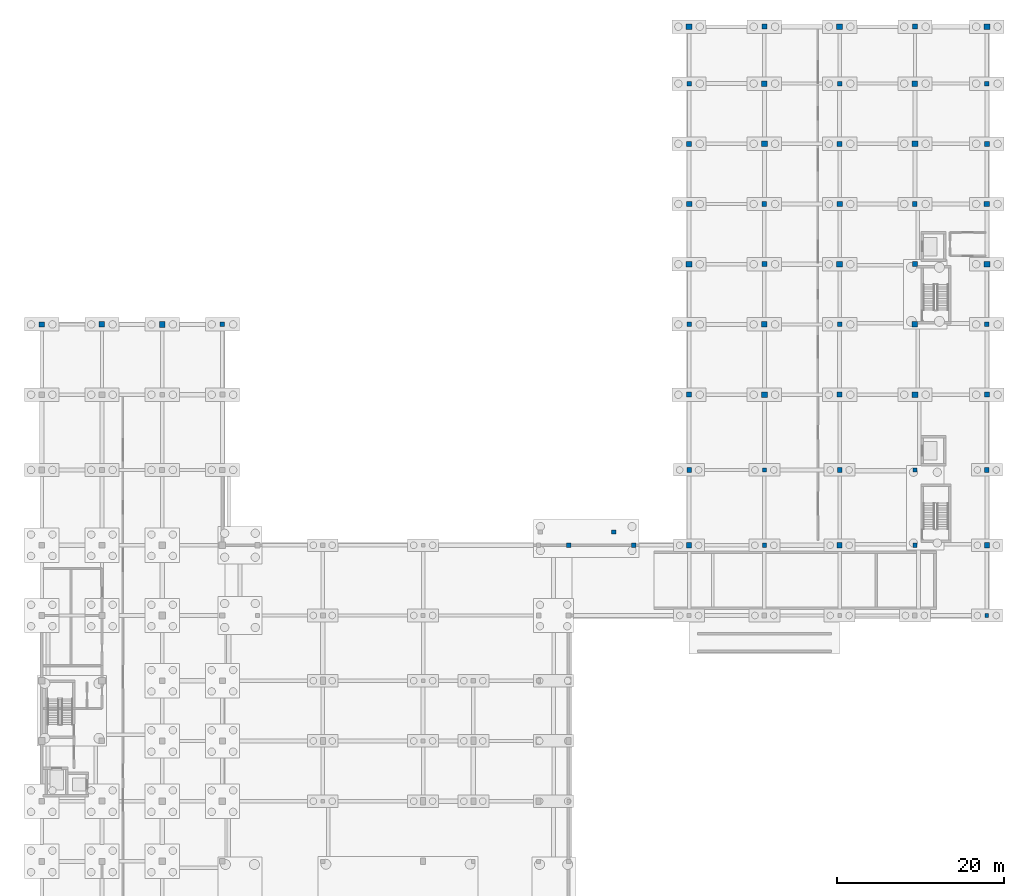
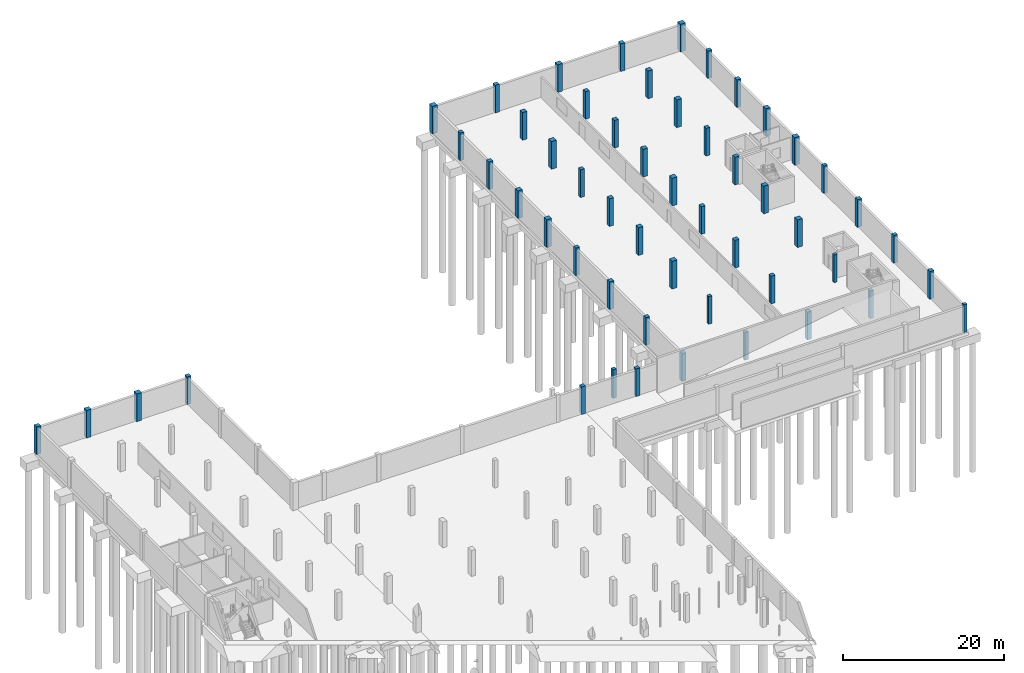
# One storey, part 21 of 34: 53 columns.
"""IFC4 building model written with IfcOpenShell, lengths in metres."""

from ifc_helpers import new_model, si_unit, direction, frame, origin, origin_2d, place, context, subcontext, project, spatial, rectangle, extrude, material, material_profile, profile_set, type_object, element, save


model = new_model("IFC4")

# Units and contexts
model_context = context("Model", 3, precision=1e-05, world=origin(), true_north=direction((0.0, 1.0)))
body_context = subcontext(model_context, "Body", "Model", "MODEL_VIEW")
ifc_project = project(units=[si_unit("LENGTHUNIT", "METRE"), si_unit("AREAUNIT", "SQUARE_METRE"), si_unit("VOLUMEUNIT", "CUBIC_METRE"), si_unit("PLANEANGLEUNIT", "RADIAN"), si_unit("MASSUNIT", "GRAM", prefix="KILO")], contexts=[model_context])

# Site, building, storey
site_placement = place(None, origin())
site = spatial("IfcSite", under=ifc_project, at=site_placement, CompositionType="ELEMENT")
building_placement = place(site_placement, origin())
building = spatial("IfcBuilding", under=site, at=building_placement, Name="Vinh Khe Railworks Police Headquarters", CompositionType="ELEMENT")
storey_placement = place(building_placement, frame((0.0, 0.0, -4.199951171875)))
storey = spatial("IfcBuildingStorey", under=building, at=storey_placement, Name="B1", CompositionType="ELEMENT", Elevation=-4.199951171875)

# Columns
ifc_material = material(Name="Concrete C40/50 (B40)", Category="concrete")
ifc_material_profile_1 = material_profile(ifc_material, rectangle(XDim=0.449951171875, YDim=0.449951171875, at=origin_2d()), Name="RC 450x450")
ifc_profile_set_1 = profile_set([ifc_material_profile_1], Name="Concrete C40/50 (B40)")
column_type_1 = type_object("IfcColumnType", Name="RC Column RC 450x450", PredefinedType="COLUMN", material=ifc_profile_set_1)
for number, where, z_axis, x_axis, name in (
    (1, (87.0, 113.39990234375, 0.0), (0.0, 0.0, 1.0), (1.0, 0.0, 0.0), "Column COL-B1-CC-08-1220"),
    (2, (105.0, 113.39990234375, 0.0), (0.0, 0.0, 1.0), (1.0, 0.0, 0.0), "Column COL-B1-CC-08-1342"),
    (3, (113.60009765625, 96.0, 0.0), (0.0, 0.0, 1.0), (1.0, 0.0, 0.0), "Column COL-B1-CC-08-1395"),
):
    element("IfcColumn", number, at=place(storey_placement, frame(where, z_axis=z_axis, x_axis=x_axis)), inside=storey, type_object=column_type_1, Name=name, PredefinedType="COLUMN", context=body_context, shape_type="SweptSolid", body=[
        extrude(rectangle(XDim=0.449951171875, YDim=0.449951171875, at=origin_2d()), origin(), (0.0, 0.0, 1.0), 4.199951171875),
    ])
ifc_material_profile_2 = material_profile(ifc_material, rectangle(XDim=0.5, YDim=0.5, at=origin_2d()), Name="RC 500x500")
ifc_profile_set_2 = profile_set([ifc_material_profile_2], Name="Concrete C40/50 (B40)")
column_type_2 = type_object("IfcColumnType", Name="RC Column RC 500x500", PredefinedType="COLUMN", material=ifc_profile_set_2)
column_placement = place(storey_placement, frame((69.0, 106.0, -0.449951171875), z_axis=(0.0, 0.0, 1.0), x_axis=(1.0, 0.0, 0.0)))
element("IfcColumn", 4, at=column_placement, inside=storey, type_object=column_type_2, Name="Foundation Transfer Pier B1-02", PredefinedType="COLUMN", context=body_context, shape_type="SweptSolid", body=[
    extrude(rectangle(XDim=0.5, YDim=0.5, at=origin_2d()), origin(), (0.0, 0.0, 1.0), 4.369873046875),
])
for number, where, z_axis, x_axis, name in (
    (5, (87.0, 104.39990234375, 0.0), (0.0, 0.0, 1.0), (1.0, 0.0, 0.0), "Column COL-B1-CC-07-1216"),
    (6, (105.0, 104.39990234375, 0.0), (0.0, 0.0, 1.0), (1.0, 0.0, 0.0), "Column COL-B1-CC-07-1338"),
):
    element("IfcColumn", number, at=place(storey_placement, frame(where, z_axis=z_axis, x_axis=x_axis)), inside=storey, type_object=column_type_2, Name=name, PredefinedType="COLUMN", context=body_context, shape_type="SweptSolid", body=[
        extrude(rectangle(XDim=0.5, YDim=0.5, at=origin_2d()), origin(), (0.0, 0.0, 1.0), 4.199951171875),
    ])
ifc_material_profile_3 = material_profile(ifc_material, rectangle(XDim=0.550048828125, YDim=0.550048828125, at=origin_2d()), Name="RC 550x550")
ifc_profile_set_3 = profile_set([ifc_material_profile_3], Name="Concrete C40/50 (B40)")
column_type_3 = type_object("IfcColumnType", Name="RC Column RC 550x550", PredefinedType="COLUMN", material=ifc_profile_set_3)
for number, where, z_axis, x_axis, name in (
    (7, (22.199951171875, 130.800048828125, 0.0), (0.0, 0.0, 1.0), (1.0, 0.0, 0.0), "Column COL-B1-CC-06-0648"),
    (8, (63.60009765625, 104.39990234375, 0.0), (0.0, 0.0, 1.0), (1.0, 0.0, 0.0), "Column COL-B1-CC-06-1128"),
    (9, (71.39990234375, 104.39990234375, 0.0), (0.0, 0.0, 1.0), (1.0, 0.0, 0.0), "Column COL-B1-CC-06-1137"),
    (10, (78.0, 113.39990234375, 0.0), (0.0, 0.0, 1.0), (1.0, 0.0, 0.0), "Column COL-B1-CC-06-1159"),
    (11, (78.0, 130.800048828125, 0.0), (0.0, 0.0, 1.0), (1.0, 0.0, 0.0), "Column COL-B1-CC-06-1170"),
    (12, (78.0, 159.60009765625, 0.0), (0.0, 0.0, 1.0), (1.0, 0.0, 0.0), "Column COL-B1-CC-06-1198"),
    (13, (87.0, 145.199951171875, 0.0), (0.0, 0.0, 1.0), (1.0, 0.0, 0.0), "Column COL-B1-CC-06-1245"),
    (14, (96.0, 113.39990234375, 0.0), (0.0, 0.0, 1.0), (1.0, 0.0, 0.0), "Column COL-B1-CC-06-1281"),
    (15, (96.0, 130.800048828125, 0.0), (0.0, 0.0, 1.0), (1.0, 0.0, 0.0), "Column COL-B1-CC-06-1292"),
    (16, (96.0, 159.60009765625, 0.0), (0.0, 0.0, 1.0), (1.0, 0.0, 0.0), "Column COL-B1-CC-06-1320"),
    (17, (105.0, 145.199951171875, 0.0), (0.0, 0.0, 1.0), (1.0, 0.0, 0.0), "Column COL-B1-CC-06-1367"),
    (18, (113.60009765625, 113.39990234375, 0.0), (0.0, 0.0, 1.0), (1.0, 0.0, 0.0), "Column COL-B1-CC-06-1403"),
    (19, (113.60009765625, 130.800048828125, 0.0), (0.0, 0.0, 1.0), (1.0, 0.0, 0.0), "Column COL-B1-CC-06-1414"),
    (20, (113.60009765625, 159.60009765625, 0.0), (0.0, 0.0, 1.0), (1.0, 0.0, 0.0), "Column COL-B1-CC-06-1442"),
):
    element("IfcColumn", number, at=place(storey_placement, frame(where, z_axis=z_axis, x_axis=x_axis)), inside=storey, type_object=column_type_3, Name=name, PredefinedType="COLUMN", context=body_context, shape_type="SweptSolid", body=[
        extrude(rectangle(XDim=0.550048828125, YDim=0.550048828125, at=origin_2d()), origin(), (0.0, 0.0, 1.0), 4.199951171875),
    ])
ifc_material_profile_4 = material_profile(ifc_material, rectangle(XDim=0.60009765625, YDim=0.60009765625, at=origin_2d()), Name="RC 600x600")
ifc_profile_set_4 = profile_set([ifc_material_profile_4], Name="Concrete C40/50 (B40)")
column_type_4 = type_object("IfcColumnType", Name="RC Column RC 600x600", PredefinedType="COLUMN", material=ifc_profile_set_4)
for number, where, z_axis, x_axis, name in (
    (21, (0.60009765625, 130.800048828125, 0.0), (0.0, 0.0, 1.0), (1.0, 0.0, 0.0), "Column COL-B1-CC-05-0161"),
    (22, (78.0, 104.39990234375, 0.0), (0.0, 0.0, 1.0), (1.0, 0.0, 0.0), "Column COL-B1-CC-05-1155"),
    (23, (78.0, 122.39990234375, 0.0), (0.0, 0.0, 1.0), (1.0, 0.0, 0.0), "Column COL-B1-CC-05-1163"),
    (24, (78.0, 152.39990234375, 0.0), (0.0, 0.0, 1.0), (1.0, 0.0, 0.0), "Column COL-B1-CC-05-1191"),
    (25, (87.0, 138.0, 0.0), (0.0, 0.0, 1.0), (1.0, 0.0, 0.0), "Column COL-B1-CC-05-1238"),
    (26, (87.0, 166.39990234375, 0.0), (0.0, 0.0, 1.0), (1.0, 0.0, 0.0), "Column COL-B1-CC-05-1266"),
    (27, (96.0, 104.39990234375, 0.0), (0.0, 0.0, 1.0), (1.0, 0.0, 0.0), "Column COL-B1-CC-05-1277"),
    (28, (96.0, 122.39990234375, 0.0), (0.0, 0.0, 1.0), (1.0, 0.0, 0.0), "Column COL-B1-CC-05-1285"),
    (29, (96.0, 152.39990234375, 0.0), (0.0, 0.0, 1.0), (1.0, 0.0, 0.0), "Column COL-B1-CC-05-1313"),
    (30, (105.0, 138.0, 0.0), (0.0, 0.0, 1.0), (1.0, 0.0, 0.0), "Column COL-B1-CC-05-1360"),
    (31, (105.0, 166.39990234375, 0.0), (0.0, 0.0, 1.0), (1.0, 0.0, 0.0), "Column COL-B1-CC-05-1388"),
    (32, (113.60009765625, 104.39990234375, 0.0), (0.0, 0.0, 1.0), (1.0, 0.0, 0.0), "Column COL-B1-CC-05-1399"),
    (33, (113.60009765625, 122.39990234375, 0.0), (0.0, 0.0, 1.0), (1.0, 0.0, 0.0), "Column COL-B1-CC-05-1407"),
    (34, (113.60009765625, 152.39990234375, 0.0), (0.0, 0.0, 1.0), (1.0, 0.0, 0.0), "Column COL-B1-CC-05-1435"),
):
    element("IfcColumn", number, at=place(storey_placement, frame(where, z_axis=z_axis, x_axis=x_axis)), inside=storey, type_object=column_type_4, Name=name, PredefinedType="COLUMN", context=body_context, shape_type="SweptSolid", body=[
        extrude(rectangle(XDim=0.60009765625, YDim=0.60009765625, at=origin_2d()), origin(), (0.0, 0.0, 1.0), 4.199951171875),
    ])
ifc_material_profile_5 = material_profile(ifc_material, rectangle(XDim=0.64990234375, YDim=0.64990234375, at=origin_2d()), Name="RC 650x650")
ifc_profile_set_5 = profile_set([ifc_material_profile_5], Name="Concrete C40/50 (B40)")
column_type_5 = type_object("IfcColumnType", Name="RC Column RC 650x650", PredefinedType="COLUMN", material=ifc_profile_set_5)
for number, where, z_axis, x_axis, name in (
    (35, (7.800048828125, 130.800048828125, 0.0), (0.0, 0.0, 1.0), (1.0, 0.0, 0.0), "Column COL-B1-CC-04-0328"),
    (36, (78.0, 145.199951171875, 0.0), (0.0, 0.0, 1.0), (1.0, 0.0, 0.0), "Column COL-B1-CC-04-1184"),
    (37, (87.0, 130.800048828125, 0.0), (0.0, 0.0, 1.0), (1.0, 0.0, 0.0), "Column COL-B1-CC-04-1231"),
    (38, (87.0, 159.60009765625, 0.0), (0.0, 0.0, 1.0), (1.0, 0.0, 0.0), "Column COL-B1-CC-04-1259"),
    (39, (96.0, 145.199951171875, 0.0), (0.0, 0.0, 1.0), (1.0, 0.0, 0.0), "Column COL-B1-CC-04-1306"),
    (40, (105.0, 130.800048828125, 0.0), (0.0, 0.0, 1.0), (1.0, 0.0, 0.0), "Column COL-B1-CC-04-1353"),
    (41, (105.0, 159.60009765625, 0.0), (0.0, 0.0, 1.0), (1.0, 0.0, 0.0), "Column COL-B1-CC-04-1381"),
    (42, (113.60009765625, 145.199951171875, 0.0), (0.0, 0.0, 1.0), (1.0, 0.0, 0.0), "Column COL-B1-CC-04-1428"),
):
    element("IfcColumn", number, at=place(storey_placement, frame(where, z_axis=z_axis, x_axis=x_axis)), inside=storey, type_object=column_type_5, Name=name, PredefinedType="COLUMN", context=body_context, shape_type="SweptSolid", body=[
        extrude(rectangle(XDim=0.64990234375, YDim=0.64990234375, at=origin_2d()), origin(), (0.0, 0.0, 1.0), 4.199951171875),
    ])
ifc_material_profile_6 = material_profile(ifc_material, rectangle(XDim=0.699951171875, YDim=0.699951171875, at=origin_2d()), Name="RC 700x700")
ifc_profile_set_6 = profile_set([ifc_material_profile_6], Name="Concrete C40/50 (B40)")
column_type_6 = type_object("IfcColumnType", Name="RC Column RC 700x700", PredefinedType="COLUMN", material=ifc_profile_set_6)
for number, where, z_axis, x_axis, name in (
    (43, (15.0, 130.800048828125, 0.0), (0.0, 0.0, 1.0), (1.0, 0.0, 0.0), "Column COL-B1-CC-03-0495"),
    (44, (78.0, 138.0, 0.0), (0.0, 0.0, 1.0), (1.0, 0.0, 0.0), "Column COL-B1-CC-03-1177"),
    (45, (78.0, 166.39990234375, 0.0), (0.0, 0.0, 1.0), (1.0, 0.0, 0.0), "Column COL-B1-CC-03-1205"),
    (46, (87.0, 122.39990234375, 0.0), (0.0, 0.0, 1.0), (1.0, 0.0, 0.0), "Column COL-B1-CC-03-1224"),
    (47, (87.0, 152.39990234375, 0.0), (0.0, 0.0, 1.0), (1.0, 0.0, 0.0), "Column COL-B1-CC-03-1252"),
    (48, (96.0, 138.0, 0.0), (0.0, 0.0, 1.0), (1.0, 0.0, 0.0), "Column COL-B1-CC-03-1299"),
    (49, (96.0, 166.39990234375, 0.0), (0.0, 0.0, 1.0), (1.0, 0.0, 0.0), "Column COL-B1-CC-03-1327"),
    (50, (105.0, 122.39990234375, 0.0), (0.0, 0.0, 1.0), (1.0, 0.0, 0.0), "Column COL-B1-CC-03-1346"),
    (51, (105.0, 152.39990234375, 0.0), (0.0, 0.0, 1.0), (1.0, 0.0, 0.0), "Column COL-B1-CC-03-1374"),
    (52, (113.60009765625, 138.0, 0.0), (0.0, 0.0, 1.0), (1.0, 0.0, 0.0), "Column COL-B1-CC-03-1421"),
    (53, (113.60009765625, 166.39990234375, 0.0), (0.0, 0.0, 1.0), (1.0, 0.0, 0.0), "Column COL-B1-CC-03-1449"),
):
    element("IfcColumn", number, at=place(storey_placement, frame(where, z_axis=z_axis, x_axis=x_axis)), inside=storey, type_object=column_type_6, Name=name, PredefinedType="COLUMN", context=body_context, shape_type="SweptSolid", body=[
        extrude(rectangle(XDim=0.699951171875, YDim=0.699951171875, at=origin_2d()), origin(), (0.0, 0.0, 1.0), 4.199951171875),
    ])

save(model, "model.ifc")
